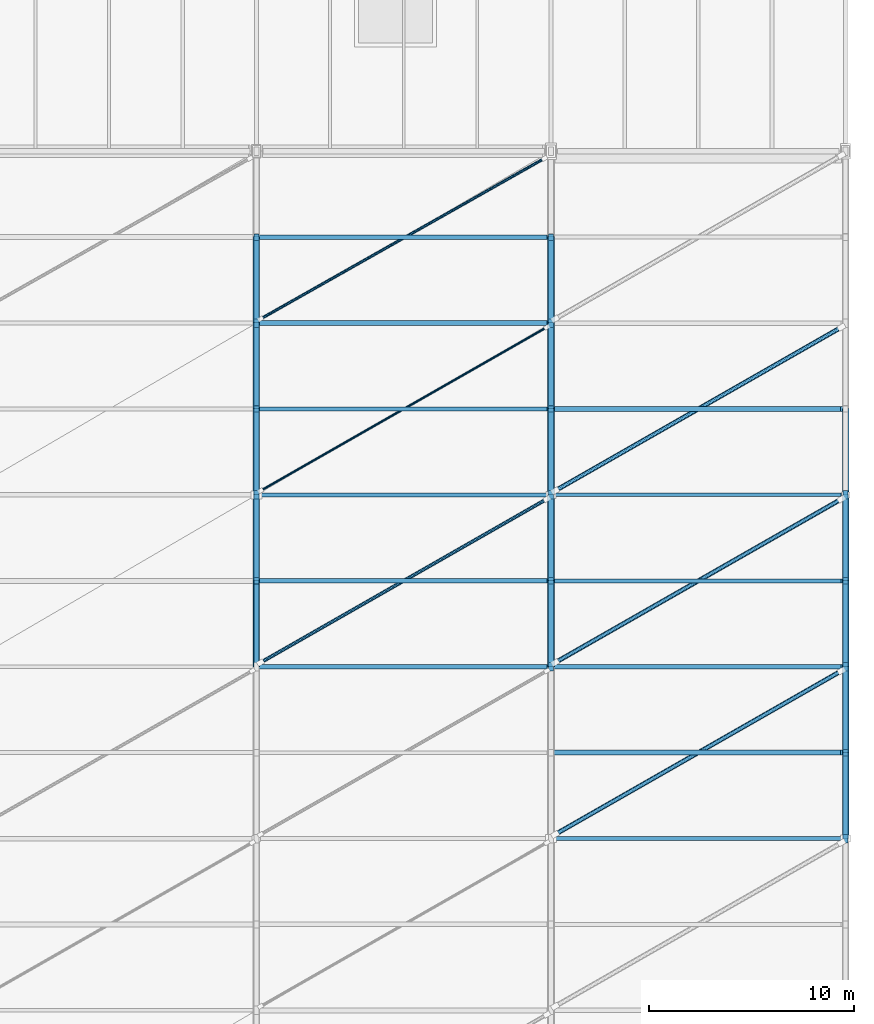
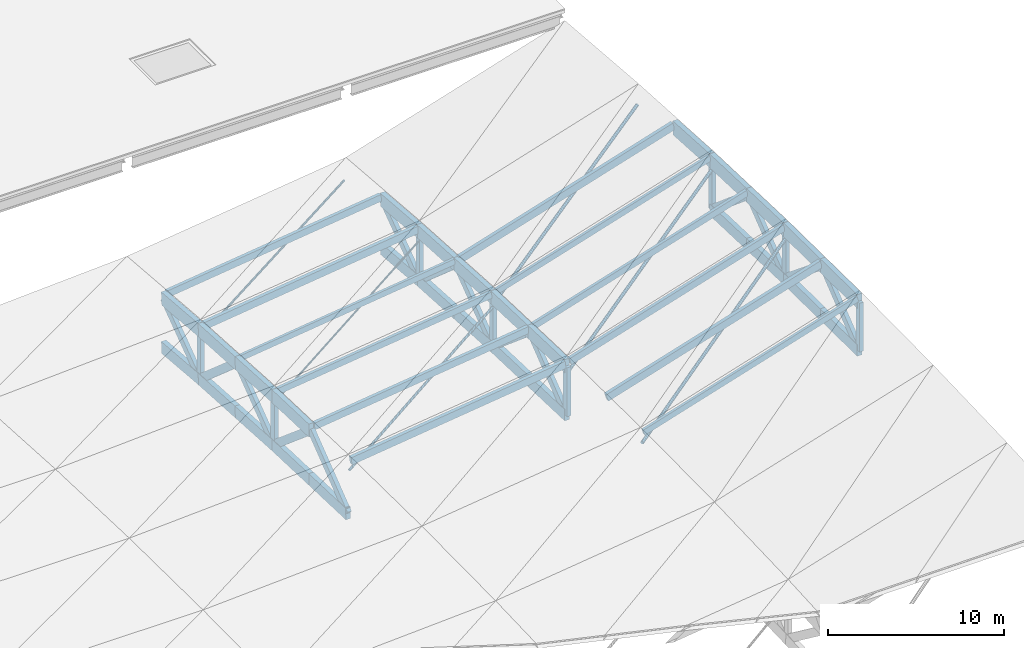
# One storey, part 9 of 22: 40 members, 28 beams.
"""IFC4 building model written with IfcOpenShell, lengths in metres."""

import ifcopenshell
import ifcopenshell.guid

model = None  # the IFC model being written
_history = None  # IfcOwnerHistory: only IFC2X3 demands one
_inside = {}  # id of a spatial element -> (the spatial element, [elements in it])
_under = {}  # id of a project, library or spatial element -> (it, [spatial elements below it])
_declared = {}  # id of a project -> (the project, [libraries it declares])
_typed = {}  # id of a type object -> (the type object, [elements of that type])
_made_of = {}  # id of a material, layer set ... -> (it, [elements and type objects made of it])


def new_model(schema):
    """Start an empty IFC model of exactly this schema.

    Asked for "IFC4X3", IfcOpenShell would pick the latest addendum, in which some entities
    have other attributes; the version numbers below select the first issue.
    IFC2X3 requires an IfcOwnerHistory on every rooted entity: one is made here for all.
    """
    global model, _history
    if schema == "IFC4X3":
        model = ifcopenshell.file(schema_version=(4, 3, 0, 0))
    else:
        model = ifcopenshell.file(schema=schema)
    _inside.clear()
    _under.clear()
    _declared.clear()
    _typed.clear()
    _made_of.clear()
    _history = None
    if model.schema == "IFC2X3":
        org = make("IfcOrganization", Name="unknown")
        user = make(
            "IfcPersonAndOrganization",
            ThePerson=make("IfcPerson", FamilyName="unknown"),
            TheOrganization=org,
        )
        app = make(
            "IfcApplication",
            ApplicationDeveloper=org,
            Version="unknown",
            ApplicationFullName="unknown",
            ApplicationIdentifier="unknown",
        )
        _history = make(
            "IfcOwnerHistory",
            OwningUser=user,
            OwningApplication=app,
            ChangeAction="ADDED",
            CreationDate=0,
        )
    return model


def make(cls, **values):
    """One entity of the class cls with the attributes given. An attribute that is None is left unset."""
    return model.create_entity(
        cls, **{name: value for name, value in values.items() if value is not None}
    )


def rooted(cls, **values):
    """An entity with a GlobalId (a new one), such as an element, a storey or a relation."""
    return make(cls, GlobalId=ifcopenshell.guid.new(), OwnerHistory=_history, **values)


def si_unit(unit_type, name, prefix=None):
    """IfcSIUnit, for example si_unit("LENGTHUNIT", "METRE", prefix="MILLI")."""
    return make("IfcSIUnit", UnitType=unit_type, Prefix=prefix, Name=name)


def assignment(units):
    """IfcUnitAssignment: the units of a project."""
    return None if units is None else make("IfcUnitAssignment", Units=units)


def point(xyz):
    """IfcCartesianPoint."""
    return None if xyz is None else make("IfcCartesianPoint", Coordinates=xyz)


def direction(xyz):
    """IfcDirection."""
    return None if xyz is None else make("IfcDirection", DirectionRatios=xyz)


def frame(location, z_axis=None, x_axis=None):
    """IfcAxis2Placement3D, a coordinate frame: its origin and axes. An axis left out is left unset."""
    return make(
        "IfcAxis2Placement3D",
        Location=point(location),
        Axis=direction(z_axis),
        RefDirection=direction(x_axis),
    )


def frame_2d(location, x_axis=None):
    """IfcAxis2Placement2D, a coordinate frame in the plane: its origin and x axis."""
    return make(
        "IfcAxis2Placement2D", Location=point(location), RefDirection=direction(x_axis)
    )


def origin():
    """The frame at (0, 0, 0) with its axes left unset."""
    return frame((0.0, 0.0, 0.0))


def origin_2d():
    """The frame at (0, 0) in the plane with its x axis left unset."""
    return frame_2d((0.0, 0.0))


def place(relative_to, where):
    """IfcLocalPlacement: puts the frame where relative to a parent placement (None: the world)."""
    return make(
        "IfcLocalPlacement", PlacementRelTo=relative_to, RelativePlacement=where
    )


def context(
    kind, dimensions, precision=None, world=None, true_north=None, identifier=None
):
    """IfcGeometricRepresentationContext, for example the 3D "Model" context."""
    return make(
        "IfcGeometricRepresentationContext",
        ContextIdentifier=identifier,
        ContextType=kind,
        CoordinateSpaceDimension=dimensions,
        Precision=precision,
        WorldCoordinateSystem=world,
        TrueNorth=true_north,
    )


def subcontext(parent, identifier, kind, view, scale=None):
    """IfcGeometricRepresentationSubContext, for example "Body" below "Model"."""
    return make(
        "IfcGeometricRepresentationSubContext",
        ContextIdentifier=identifier,
        ContextType=kind,
        ParentContext=parent,
        TargetScale=scale,
        TargetView=view,
    )


def project(units=None, contexts=None):
    """IfcProject with its units and contexts."""
    return rooted(
        "IfcProject",
        Name="project",
        RepresentationContexts=contexts,
        UnitsInContext=assignment(units),
    )


def spatial(cls, under=None, at=None, **own):
    """A site, building, storey or space (cls), placed at a placement, below another one or the project."""
    s = rooted(cls, ObjectPlacement=at, **own)
    if under is not None:
        _under.setdefault(under.id(), (under, []))[1].append(s)
    return s


def profile(cls, at=None, kind="AREA", **sizes):
    """A parametric profile (cls). Its sizes go by their IFC names, for example OverallWidth=200.0."""
    return make(cls, ProfileType=kind, Position=at, **sizes)


def rectangle(**sizes):
    """IfcRectangleProfileDef."""
    return profile("IfcRectangleProfileDef", **sizes)


def hollow_circle(**sizes):
    """IfcCircleHollowProfileDef."""
    return profile("IfcCircleHollowProfileDef", **sizes)


def extrude(swept, where, along, depth):
    """IfcExtrudedAreaSolid: the profile swept, set in the frame where, extruded along a direction by depth."""
    return make(
        "IfcExtrudedAreaSolid",
        SweptArea=swept,
        Position=where,
        ExtrudedDirection=direction(along),
        Depth=depth,
    )


def shape(context_of_items, identifier, shape_type, items):
    """IfcShapeRepresentation: the items that make up one representation, for example the "Body"."""
    return make(
        "IfcShapeRepresentation",
        ContextOfItems=context_of_items,
        RepresentationIdentifier=identifier,
        RepresentationType=shape_type,
        Items=items,
    )


def material(Name=None, Category=None):
    """IfcMaterial."""
    return make("IfcMaterial", Name=Name, Category=Category)


def material_profile(
    of_material, cross_section, Name=None, Category=None, Priority=None
):
    """IfcMaterialProfile: a cross section and its material."""
    return make(
        "IfcMaterialProfile",
        Name=Name,
        Material=of_material,
        Profile=cross_section,
        Priority=Priority,
        Category=Category,
    )


def profile_set(profiles, Name=None, composite=None):
    """IfcMaterialProfileSet."""
    return make(
        "IfcMaterialProfileSet",
        Name=Name,
        MaterialProfiles=profiles,
        CompositeProfile=composite,
    )


def made_of(thing, what):
    """Note that an element or type object is made of a material, layer set ...; save() writes the relation."""
    if what is not None:
        _made_of.setdefault(what.id(), (what, []))[1].append(thing)
    return thing


def type_object(cls, material=None, **own):
    """A type object (cls), such as IfcWallType, which elements share."""
    return made_of(rooted(cls, **own), material)


def element(
    cls,
    number,
    at=None,
    inside=None,
    cuts=None,
    type_object=None,
    material=None,
    context=None,
    identifier="Body",
    shape_type=None,
    held_by="IfcProductDefinitionShape",
    body=None,
    shapes=None,
    **own,
):
    """One element of the class cls, such as IfcWall. Its Tag is "e" and its number.

    at: its placement. inside: the storey or other place that contains it. cuts: it is an
    opening in that element (IfcRelVoidsElement). A single representation is given by context,
    identifier, shape_type and body (its items); several are given by shapes. held_by: the class
    of the entity that holds the representations. save() writes the other relations.
    """
    e = rooted(cls, Tag="e%d" % number, ObjectPlacement=at, **own)
    if body is not None:
        shapes = [shape(context, identifier, shape_type, body)]
    if shapes is not None:
        e.Representation = make(held_by, Representations=shapes)
    if inside is not None:
        _inside.setdefault(inside.id(), (inside, []))[1].append(e)
    if cuts is not None:
        rooted(
            "IfcRelVoidsElement", RelatingBuildingElement=cuts, RelatedOpeningElement=e
        )
    if type_object is not None:
        _typed.setdefault(type_object.id(), (type_object, []))[1].append(e)
    return made_of(e, material)


def aggregate(whole, parts):
    """IfcRelAggregates: a whole, such as a stair, and the parts it consists of."""
    return rooted("IfcRelAggregates", RelatingObject=whole, RelatedObjects=parts)


def save(model, path):
    """Write the relations noted so far, then the file.

    IfcRelAggregates (storeys below a building ...), IfcRelContainedInSpatialStructure (elements
    in a storey), IfcRelDefinesByType, IfcRelAssociatesMaterial and IfcRelDeclares: one each for
    every whole, place, type object, material and project.
    """
    for whole, parts in _under.values():
        aggregate(whole, parts)
    for where, things in _inside.values():
        rooted(
            "IfcRelContainedInSpatialStructure",
            RelatedElements=things,
            RelatingStructure=where,
        )
    for kind, things in _typed.values():
        rooted("IfcRelDefinesByType", RelatedObjects=things, RelatingType=kind)
    for what, things in _made_of.values():
        rooted("IfcRelAssociatesMaterial", RelatedObjects=things, RelatingMaterial=what)
    for by, libraries in _declared.values():
        rooted("IfcRelDeclares", RelatingContext=by, RelatedDefinitions=libraries)
    model.write(path)


model = new_model("IFC4")

# Units and contexts
model_context = context("Model", 3, precision=1e-05, world=origin(), true_north=direction((0.0, 1.0)))
body_context = subcontext(model_context, "Body", "Model", "MODEL_VIEW")
ifc_project = project(units=[si_unit("LENGTHUNIT", "METRE"), si_unit("AREAUNIT", "SQUARE_METRE"), si_unit("VOLUMEUNIT", "CUBIC_METRE"), si_unit("PLANEANGLEUNIT", "RADIAN"), si_unit("MASSUNIT", "GRAM", prefix="KILO"), si_unit("THERMODYNAMICTEMPERATUREUNIT", "KELVIN")], contexts=[model_context])

# Site, building, storey
site_placement = place(None, origin())
site = spatial("IfcSite", under=ifc_project, at=site_placement, CompositionType="ELEMENT")
building_placement = place(site_placement, origin())
building = spatial("IfcBuilding", under=site, at=building_placement, Name="Nduvali Passage Aquatics Centre", CompositionType="ELEMENT")
storey_placement = place(building_placement, frame((0.0, 0.0, 21.60009765625)))
storey = spatial("IfcBuildingStorey", under=building, at=storey_placement, Name="RF", CompositionType="ELEMENT", Elevation=21.60009765625)

# Beams
ifc_material_1 = material(Name="Glulam GL32c", Category="wood")
ifc_material_profile_1 = material_profile(ifc_material_1, rectangle(XDim=0.320068359375, YDim=0.800048828125, at=origin_2d()), Name="GL32c 320x800")
ifc_profile_set_1 = profile_set([ifc_material_profile_1], Name="Glulam GL32c")
beam_type_1 = type_object("IfcBeamType", Name="STR-BM-GL32-BOT", PredefinedType="BEAM", material=ifc_profile_set_1)
beam_1_placement = place(storey_placement, frame((97.199951171875, 67.199951171875, -9.658447265625), z_axis=(0.0, 0.999361595677, -0.035726755876), x_axis=(-1.0, 0.0, 0.0)))
element("IfcBeam", 1, at=beam_1_placement, inside=storey, type_object=beam_type_1, Name="RF Pool Hall Roof Truss Bottom Chord R6 BC1-1859", PredefinedType="BEAM", context=body_context, shape_type="SweptSolid", body=[
    extrude(rectangle(XDim=0.320068359375, YDim=0.800048828125, at=origin_2d()), origin(), (0.0, 0.0, 1.0), 4.20263671875),
])
beam_2_placement = place(storey_placement, frame((97.199951171875, 71.39990234375, -9.80859375), z_axis=(0.0, 0.999363742023, -0.035666666915), x_axis=(-1.0, 0.0, 0.0)))
element("IfcBeam", 2, at=beam_2_placement, inside=storey, type_object=beam_type_1, Name="RF Pool Hall Roof Truss Bottom Chord R6 BC1-1861", PredefinedType="BEAM", context=body_context, shape_type="SweptSolid", body=[
    extrude(rectangle(XDim=0.320068359375, YDim=0.800048828125, at=origin_2d()), origin(), (0.0, 0.0, 1.0), 4.202880859375),
])
for number, where, z_axis, x_axis, name in (
    (3, (97.199951171875, 75.60009765625, -9.95849609375), (0.0, 0.998233110761, -0.059419328339), (-1.0, 0.0, 0.0), "RF Pool Hall Roof Truss Bottom Chord R6 BC1-1863"),
    (4, (97.199951171875, 79.800048828125, -10.20849609375), (0.0, 0.998233110761, -0.059419328339), (-1.0, 0.0, 0.0), "RF Pool Hall Roof Truss Bottom Chord R6 BC1-1865"),
):
    element("IfcBeam", number, at=place(storey_placement, frame(where, z_axis=z_axis, x_axis=x_axis)), inside=storey, type_object=beam_type_1, Name=name, PredefinedType="BEAM", context=body_context, shape_type="SweptSolid", body=[
        extrude(rectangle(XDim=0.320068359375, YDim=0.800048828125, at=origin_2d()), origin(), (0.0, 0.0, 1.0), 4.207275390625),
    ])
beam_3_placement = place(storey_placement, frame((97.199951171875, 84.0, -10.45849609375), z_axis=(0.0, 0.996543760423, -0.083069450238), x_axis=(-1.0, 0.0, 0.0)))
element("IfcBeam", 5, at=beam_3_placement, inside=storey, type_object=beam_type_1, Name="RF Pool Hall Roof Truss Bottom Chord R6 BC1-1867", PredefinedType="BEAM", context=body_context, shape_type="SweptSolid", body=[
    extrude(rectangle(XDim=0.320068359375, YDim=0.800048828125, at=origin_2d()), origin(), (0.0, 0.0, 1.0), 4.214599609375),
])
beam_4_placement = place(storey_placement, frame((111.60009765625, 67.199951171875, -7.82275390625), z_axis=(0.0, 0.999361595677, -0.035726755876), x_axis=(-1.0, 0.0, 0.0)))
element("IfcBeam", 6, at=beam_4_placement, inside=storey, type_object=beam_type_1, Name="RF Pool Hall Roof Truss Bottom Chord R7 BC1-1891", PredefinedType="BEAM", context=body_context, shape_type="SweptSolid", body=[
    extrude(rectangle(XDim=0.320068359375, YDim=0.800048828125, at=origin_2d()), origin(), (0.0, 0.0, 1.0), 4.20263671875),
])
beam_5_placement = place(storey_placement, frame((111.60009765625, 71.39990234375, -7.972900390625), z_axis=(0.0, 0.999363742023, -0.035666666915), x_axis=(-1.0, 0.0, 0.0)))
element("IfcBeam", 7, at=beam_5_placement, inside=storey, type_object=beam_type_1, Name="RF Pool Hall Roof Truss Bottom Chord R7 BC1-1893", PredefinedType="BEAM", context=body_context, shape_type="SweptSolid", body=[
    extrude(rectangle(XDim=0.320068359375, YDim=0.800048828125, at=origin_2d()), origin(), (0.0, 0.0, 1.0), 4.202880859375),
])
for number, where, z_axis, x_axis, name in (
    (8, (111.60009765625, 75.60009765625, -8.122802734375), (0.0, 0.998233110761, -0.059419328339), (-1.0, 0.0, 0.0), "RF Pool Hall Roof Truss Bottom Chord R7 BC1-1895"),
    (9, (111.60009765625, 79.800048828125, -8.372802734375), (0.0, 0.998233110761, -0.059419328339), (-1.0, 0.0, 0.0), "RF Pool Hall Roof Truss Bottom Chord R7 BC1-1897"),
):
    element("IfcBeam", number, at=place(storey_placement, frame(where, z_axis=z_axis, x_axis=x_axis)), inside=storey, type_object=beam_type_1, Name=name, PredefinedType="BEAM", context=body_context, shape_type="SweptSolid", body=[
        extrude(rectangle(XDim=0.320068359375, YDim=0.800048828125, at=origin_2d()), origin(), (0.0, 0.0, 1.0), 4.207275390625),
    ])
beam_6_placement = place(storey_placement, frame((111.60009765625, 84.0, -8.622802734375), z_axis=(0.0, 0.996543760423, -0.083069450238), x_axis=(-1.0, 0.0, 0.0)))
element("IfcBeam", 10, at=beam_6_placement, inside=storey, type_object=beam_type_1, Name="RF Pool Hall Roof Truss Bottom Chord R7 BC1-1899", PredefinedType="BEAM", context=body_context, shape_type="SweptSolid", body=[
    extrude(rectangle(XDim=0.320068359375, YDim=0.800048828125, at=origin_2d()), origin(), (0.0, 0.0, 1.0), 4.214599609375),
])
for number, where, z_axis, x_axis, name in (
    (11, (126.0, 58.800048828125, -3.274169921875), (0.0, 0.999929005763, -0.011915680183), (-1.0, 0.0, 0.0), "RF Pool Hall Roof Truss Bottom Chord R8 BC1-1919"),
    (12, (126.0, 63.0, -3.32421875), (0.0, 0.999929696627, -0.011857563106), (-1.0, 0.0, 0.0), "RF Pool Hall Roof Truss Bottom Chord R8 BC1-1921"),
):
    element("IfcBeam", number, at=place(storey_placement, frame(where, z_axis=z_axis, x_axis=x_axis)), inside=storey, type_object=beam_type_1, Name=name, PredefinedType="BEAM", context=body_context, shape_type="SweptSolid", body=[
        extrude(rectangle(XDim=0.320068359375, YDim=0.800048828125, at=origin_2d()), origin(), (0.0, 0.0, 1.0), 4.2001953125),
    ])
beam_7_placement = place(storey_placement, frame((126.0, 67.199951171875, -3.3740234375), z_axis=(0.0, 0.999361595677, -0.035726755876), x_axis=(-1.0, 0.0, 0.0)))
element("IfcBeam", 13, at=beam_7_placement, inside=storey, type_object=beam_type_1, Name="RF Pool Hall Roof Truss Bottom Chord R8 BC1-1923", PredefinedType="BEAM", context=body_context, shape_type="SweptSolid", body=[
    extrude(rectangle(XDim=0.320068359375, YDim=0.800048828125, at=origin_2d()), origin(), (0.0, 0.0, 1.0), 4.20263671875),
])
beam_8_placement = place(storey_placement, frame((126.0, 71.39990234375, -3.524169921875), z_axis=(0.0, 0.999363742023, -0.035666666915), x_axis=(-1.0, 0.0, 0.0)))
element("IfcBeam", 14, at=beam_8_placement, inside=storey, type_object=beam_type_1, Name="RF Pool Hall Roof Truss Bottom Chord R8 BC1-1925", PredefinedType="BEAM", context=body_context, shape_type="SweptSolid", body=[
    extrude(rectangle(XDim=0.320068359375, YDim=0.800048828125, at=origin_2d()), origin(), (0.0, 0.0, 1.0), 4.202880859375),
])
ifc_material_profile_2 = material_profile(ifc_material_1, rectangle(XDim=0.320068359375, YDim=0.9599609375, at=origin_2d()), Name="GL32c 320x960")
ifc_profile_set_2 = profile_set([ifc_material_profile_2], Name="Glulam GL32c")
beam_type_2 = type_object("IfcBeamType", Name="STR-BM-GL32-END", PredefinedType="BEAM", material=ifc_profile_set_2)
for number, where, z_axis, x_axis, name in (
    (15, (126.0, 58.800048828125, 0.1259765625), (0.0, 0.999929005763, -0.011915680183), (-1.0, 0.0, 0.0), "RF Pool Hall Roof Truss Top Chord R8 TC0-1918"),
    (16, (126.0, 63.0, 0.075927734375), (0.0, 0.999929005763, -0.011915680183), (-1.0, 0.0, 0.0), "RF Pool Hall Roof Truss Top Chord R8 TC0-1920"),
):
    element("IfcBeam", number, at=place(storey_placement, frame(where, z_axis=z_axis, x_axis=x_axis)), inside=storey, type_object=beam_type_2, Name=name, PredefinedType="BEAM", context=body_context, shape_type="SweptSolid", body=[
        extrude(rectangle(XDim=0.320068359375, YDim=0.9599609375, at=origin_2d()), origin(), (0.0, 0.0, 1.0), 4.2001953125),
    ])
beam_9_placement = place(storey_placement, frame((126.0, 67.199951171875, 0.02587890625), z_axis=(0.0, 0.999363668121, -0.035668737559), x_axis=(-1.0, 0.0, 0.0)))
element("IfcBeam", 17, at=beam_9_placement, inside=storey, type_object=beam_type_2, Name="RF Pool Hall Roof Truss Top Chord R8 TC0-1922", PredefinedType="BEAM", context=body_context, shape_type="SweptSolid", body=[
    extrude(rectangle(XDim=0.320068359375, YDim=0.9599609375, at=origin_2d()), origin(), (0.0, 0.0, 1.0), 4.20263671875),
])
beam_10_placement = place(storey_placement, frame((126.0, 71.39990234375, -0.1240234375), z_axis=(0.0, 0.99936166982, -0.035724681873), x_axis=(-1.0, 0.0, 0.0)))
element("IfcBeam", 18, at=beam_10_placement, inside=storey, type_object=beam_type_2, Name="RF Pool Hall Roof Truss Top Chord R8 TC0-1924", PredefinedType="BEAM", context=body_context, shape_type="SweptSolid", body=[
    extrude(rectangle(XDim=0.320068359375, YDim=0.9599609375, at=origin_2d()), origin(), (0.0, 0.0, 1.0), 4.202880859375),
])
beam_11_placement = place(storey_placement, frame((126.0, 75.60009765625, -0.274169921875), z_axis=(0.0, 0.998233110761, -0.059419328339), x_axis=(-1.0, 0.0, 0.0)))
element("IfcBeam", 19, at=beam_11_placement, inside=storey, type_object=beam_type_2, Name="RF Pool Hall Roof Truss Top Chord R8 TC0-1926", PredefinedType="BEAM", context=body_context, shape_type="SweptSolid", body=[
    extrude(rectangle(XDim=0.320068359375, YDim=0.9599609375, at=origin_2d()), origin(), (0.0, 0.0, 1.0), 4.207275390625),
])
ifc_material_profile_3 = material_profile(ifc_material_1, rectangle(XDim=0.320068359375, YDim=0.89990234375, at=origin_2d()), Name="GL32c 320x900")
ifc_profile_set_3 = profile_set([ifc_material_profile_3], Name="Glulam GL32c")
beam_type_3 = type_object("IfcBeamType", Name="STR-BM-GL32-TOP", PredefinedType="BEAM", material=ifc_profile_set_3)
beam_12_placement = place(storey_placement, frame((97.199951171875, 71.39990234375, -6.408447265625), z_axis=(0.0, 0.99936166982, -0.035724681873), x_axis=(-1.0, 0.0, 0.0)))
element("IfcBeam", 20, at=beam_12_placement, inside=storey, type_object=beam_type_3, Name="RF Pool Hall Roof Truss Top Chord R6 TC1-1860", PredefinedType="BEAM", context=body_context, shape_type="SweptSolid", body=[
    extrude(rectangle(XDim=0.320068359375, YDim=0.89990234375, at=origin_2d()), origin(), (0.0, 0.0, 1.0), 4.202880859375),
])
for number, where, z_axis, x_axis, name in (
    (21, (97.199951171875, 75.60009765625, -6.55859375), (0.0, 0.998233110761, -0.059419328339), (-1.0, 0.0, 0.0), "RF Pool Hall Roof Truss Top Chord R6 TC1-1862"),
    (22, (97.199951171875, 79.800048828125, -6.80859375), (0.0, 0.998233110761, -0.059419328339), (-1.0, 0.0, 0.0), "RF Pool Hall Roof Truss Top Chord R6 TC1-1864"),
):
    element("IfcBeam", number, at=place(storey_placement, frame(where, z_axis=z_axis, x_axis=x_axis)), inside=storey, type_object=beam_type_3, Name=name, PredefinedType="BEAM", context=body_context, shape_type="SweptSolid", body=[
        extrude(rectangle(XDim=0.320068359375, YDim=0.89990234375, at=origin_2d()), origin(), (0.0, 0.0, 1.0), 4.207275390625),
    ])
beam_13_placement = place(storey_placement, frame((97.199951171875, 84.0, -7.05859375), z_axis=(0.0, 0.996548554241, -0.083011921073), x_axis=(-1.0, 0.0, 0.0)))
element("IfcBeam", 23, at=beam_13_placement, inside=storey, type_object=beam_type_3, Name="RF Pool Hall Roof Truss Top Chord R6 TC1-1866", PredefinedType="BEAM", context=body_context, shape_type="SweptSolid", body=[
    extrude(rectangle(XDim=0.320068359375, YDim=0.89990234375, at=origin_2d()), origin(), (0.0, 0.0, 1.0), 4.214599609375),
])
beam_14_placement = place(storey_placement, frame((111.60009765625, 67.199951171875, -4.4228515625), z_axis=(0.0, 0.999363668121, -0.035668737559), x_axis=(-1.0, 0.0, 0.0)))
element("IfcBeam", 24, at=beam_14_placement, inside=storey, type_object=beam_type_3, Name="RF Pool Hall Roof Truss Top Chord R7 TC1-1890", PredefinedType="BEAM", context=body_context, shape_type="SweptSolid", body=[
    extrude(rectangle(XDim=0.320068359375, YDim=0.89990234375, at=origin_2d()), origin(), (0.0, 0.0, 1.0), 4.20263671875),
])
beam_15_placement = place(storey_placement, frame((111.60009765625, 71.39990234375, -4.57275390625), z_axis=(0.0, 0.99936166982, -0.035724681873), x_axis=(-1.0, 0.0, 0.0)))
element("IfcBeam", 25, at=beam_15_placement, inside=storey, type_object=beam_type_3, Name="RF Pool Hall Roof Truss Top Chord R7 TC1-1892", PredefinedType="BEAM", context=body_context, shape_type="SweptSolid", body=[
    extrude(rectangle(XDim=0.320068359375, YDim=0.89990234375, at=origin_2d()), origin(), (0.0, 0.0, 1.0), 4.202880859375),
])
for number, where, z_axis, x_axis, name in (
    (26, (111.60009765625, 75.60009765625, -4.722900390625), (0.0, 0.998233110761, -0.059419328339), (-1.0, 0.0, 0.0), "RF Pool Hall Roof Truss Top Chord R7 TC1-1894"),
    (27, (111.60009765625, 79.800048828125, -4.972900390625), (0.0, 0.998233110761, -0.059419328339), (-1.0, 0.0, 0.0), "RF Pool Hall Roof Truss Top Chord R7 TC1-1896"),
):
    element("IfcBeam", number, at=place(storey_placement, frame(where, z_axis=z_axis, x_axis=x_axis)), inside=storey, type_object=beam_type_3, Name=name, PredefinedType="BEAM", context=body_context, shape_type="SweptSolid", body=[
        extrude(rectangle(XDim=0.320068359375, YDim=0.89990234375, at=origin_2d()), origin(), (0.0, 0.0, 1.0), 4.207275390625),
    ])
beam_16_placement = place(storey_placement, frame((111.60009765625, 84.0, -5.222900390625), z_axis=(0.0, 0.996548554241, -0.083011921073), x_axis=(-1.0, 0.0, 0.0)))
element("IfcBeam", 28, at=beam_16_placement, inside=storey, type_object=beam_type_3, Name="RF Pool Hall Roof Truss Top Chord R7 TC1-1898", PredefinedType="BEAM", context=body_context, shape_type="SweptSolid", body=[
    extrude(rectangle(XDim=0.320068359375, YDim=0.89990234375, at=origin_2d()), origin(), (0.0, 0.0, 1.0), 4.214599609375),
])

# Members
ifc_material_2 = material(Name="Steel S355", Category="steel")
ifc_material_profile_4 = material_profile(ifc_material_2, hollow_circle(Radius=0.05712890625, WallThickness=0.00634765625, at=origin_2d()), Name="CHS 114.3x6.3")
ifc_profile_set_4 = profile_set([ifc_material_profile_4], Name="Steel S355")
member_type_1 = type_object("IfcMemberType", Name="STR-MEM-CHS114", PredefinedType="BRACE", material=ifc_profile_set_4)
member_1_placement = place(storey_placement, frame((97.39990234375, 75.800048828125, -7.136474609375), z_axis=(0.865279515362, 0.49444543735, 0.082553435905), x_axis=(-0.496138938357, 0.868243142124, 0.0)))
element("IfcMember", 29, at=member_1_placement, inside=storey, type_object=member_type_1, Name="Pool Hall Roof Wind Brace B6-P7A", PredefinedType="BRACE", context=body_context, shape_type="SweptSolid", body=[
    extrude(hollow_circle(Radius=0.05712890625, WallThickness=0.00634765625, at=origin_2d()), origin(), (0.0, 0.0, 1.0), 16.1796875),
])
ifc_material_profile_5 = material_profile(ifc_material_2, hollow_circle(Radius=0.06982421875, WallThickness=0.00634765625, at=origin_2d()), Name="CHS 139.7x6.3")
ifc_profile_set_5 = profile_set([ifc_material_profile_5], Name="Steel S355")
member_type_2 = type_object("IfcMemberType", Name="STR-MEM-CHS139", PredefinedType="BRACE", material=ifc_profile_set_5)
member_2_placement = place(storey_placement, frame((97.39990234375, 84.199951171875, -7.636474609375), z_axis=(0.868234252181, 0.49104188248, 0.071043317699), x_axis=(-0.492285774804, 0.870433636715, 0.0)))
element("IfcMember", 30, at=member_2_placement, inside=storey, type_object=member_type_2, Name="Pool Hall Roof Wind Brace B6-P8A", PredefinedType="BRACE", context=body_context, shape_type="SweptSolid", body=[
    extrude(hollow_circle(Radius=0.06982421875, WallThickness=0.00634765625, at=origin_2d()), origin(), (0.0, 0.0, 1.0), 15.986572265625),
])
ifc_material_profile_6 = material_profile(ifc_material_2, hollow_circle(Radius=0.084228515625, WallThickness=0.00634765625, at=origin_2d()), Name="CHS 168.3x6.3")
ifc_profile_set_6 = profile_set([ifc_material_profile_6], Name="Steel S355")
member_type_3 = type_object("IfcMemberType", Name="STR-MEM-CHS168", PredefinedType="BRACE", material=ifc_profile_set_6)
member_3_placement = place(storey_placement, frame((97.39990234375, 67.39990234375, -6.83642578125), z_axis=(0.864332236549, 0.493904135171, 0.094807648017), x_axis=(-0.496138938357, 0.868243142124, 0.0)))
element("IfcMember", 31, at=member_3_placement, inside=storey, type_object=member_type_3, Name="Pool Hall Roof Wind Brace B6-P6A", PredefinedType="BRACE", context=body_context, shape_type="SweptSolid", body=[
    extrude(hollow_circle(Radius=0.084228515625, WallThickness=0.00634765625, at=origin_2d()), origin(), (0.0, 0.0, 1.0), 16.197509765625),
])
ifc_material_profile_7 = material_profile(ifc_material_2, hollow_circle(Radius=0.109619140625, WallThickness=0.008056640625, at=origin_2d()), Name="CHS 219.1x8.0")
ifc_profile_set_7 = profile_set([ifc_material_profile_7], Name="Steel S355")
member_type_4 = type_object("IfcMemberType", Name="STR-MEM-CHS219", PredefinedType="BRACE", material=ifc_profile_set_7)
member_4_placement = place(storey_placement, frame((111.800048828125, 59.0, -4.90087890625), z_axis=(0.83789881528, 0.478799323017, 0.262062556711), x_axis=(-0.496138938357, 0.868243142124, 0.0)))
element("IfcMember", 32, at=member_4_placement, inside=storey, type_object=member_type_4, Name="Pool Hall Roof Wind Brace B7-P5A", PredefinedType="BRACE", context=body_context, shape_type="SweptSolid", body=[
    extrude(hollow_circle(Radius=0.109619140625, WallThickness=0.008056640625, at=origin_2d()), origin(), (0.0, 0.0, 1.0), 16.70849609375),
])
member_5_placement = place(storey_placement, frame((111.800048828125, 67.39990234375, -5.000732421875), z_axis=(0.840478431284, 0.480273389305, 0.25086545811), x_axis=(-0.496138938357, 0.868243142124, 0.0)))
element("IfcMember", 33, at=member_5_placement, inside=storey, type_object=member_type_4, Name="Pool Hall Roof Wind Brace B7-P6A", PredefinedType="BRACE", context=body_context, shape_type="SweptSolid", body=[
    extrude(hollow_circle(Radius=0.109619140625, WallThickness=0.008056640625, at=origin_2d()), origin(), (0.0, 0.0, 1.0), 16.6572265625),
])
member_6_placement = place(storey_placement, frame((111.800048828125, 75.800048828125, -5.30078125), z_axis=(0.842959810275, 0.481691320157, 0.239566755512), x_axis=(-0.496138938357, 0.868243142124, 0.0)))
element("IfcMember", 34, at=member_6_placement, inside=storey, type_object=member_type_4, Name="Pool Hall Roof Wind Brace B7-P7A", PredefinedType="BRACE", context=body_context, shape_type="SweptSolid", body=[
    extrude(hollow_circle(Radius=0.109619140625, WallThickness=0.008056640625, at=origin_2d()), origin(), (0.0, 0.0, 1.0), 16.608154296875),
])
ifc_material_3 = material(Name="Glulam GL28h", Category="wood")
ifc_material_profile_8 = material_profile(ifc_material_3, rectangle(XDim=0.260009765625, YDim=0.52001953125, at=origin_2d()), Name="GL28h 260x520")
ifc_profile_set_8 = profile_set([ifc_material_profile_8], Name="Glulam GL28h")
member_type_5 = type_object("IfcMemberType", Name="STR-MEM-GL-DIAG", PredefinedType="CHORD", material=ifc_profile_set_8)
member_7_placement = place(storey_placement, frame((97.199951171875, 67.199951171875, -9.658447265625), z_axis=(0.0, 0.790867256885, 0.611987730259), x_axis=(-1.0, 0.0, 0.0)))
element("IfcMember", 35, at=member_7_placement, inside=storey, type_object=member_type_5, Name="Pool Hall Roof Truss Web Diagonal R6-11", PredefinedType="CHORD", context=body_context, shape_type="SweptSolid", body=[
    extrude(rectangle(XDim=0.260009765625, YDim=0.52001953125, at=origin_2d()), origin(), (0.0, 0.0, 1.0), 5.310546875),
])
member_8_placement = place(storey_placement, frame((97.199951171875, 71.39990234375, -6.408447265625), z_axis=(0.0, 0.763741468965, -0.64552224484), x_axis=(-1.0, 0.0, 0.0)))
element("IfcMember", 36, at=member_8_placement, inside=storey, type_object=member_type_5, Name="Pool Hall Roof Truss Web Diagonal R6-12", PredefinedType="CHORD", context=body_context, shape_type="SweptSolid", body=[
    extrude(rectangle(XDim=0.260009765625, YDim=0.52001953125, at=origin_2d()), origin(), (0.0, 0.0, 1.0), 5.49951171875),
])
member_9_placement = place(storey_placement, frame((97.199951171875, 75.60009765625, -9.95849609375), z_axis=(0.0, 0.800005580426, 0.599992559359), x_axis=(-1.0, 0.0, 0.0)))
element("IfcMember", 37, at=member_9_placement, inside=storey, type_object=member_type_5, Name="Pool Hall Roof Truss Web Diagonal R6-13", PredefinedType="CHORD", context=body_context, shape_type="SweptSolid", body=[
    extrude(rectangle(XDim=0.260009765625, YDim=0.52001953125, at=origin_2d()), origin(), (0.0, 0.0, 1.0), 5.25),
])
member_10_placement = place(storey_placement, frame((97.199951171875, 79.800048828125, -6.80859375), z_axis=(0.0, 0.754803851974, -0.655950566007), x_axis=(-1.0, 0.0, 0.0)))
element("IfcMember", 38, at=member_10_placement, inside=storey, type_object=member_type_5, Name="Pool Hall Roof Truss Web Diagonal R6-14", PredefinedType="CHORD", context=body_context, shape_type="SweptSolid", body=[
    extrude(rectangle(XDim=0.260009765625, YDim=0.52001953125, at=origin_2d()), origin(), (0.0, 0.0, 1.0), 5.564208984375),
])
member_11_placement = place(storey_placement, frame((97.199951171875, 84.0, -10.45849609375), z_axis=(0.0, 0.809144712888, 0.587609422665), x_axis=(-1.0, 0.0, 0.0)))
element("IfcMember", 39, at=member_11_placement, inside=storey, type_object=member_type_5, Name="Pool Hall Roof Truss Web Diagonal R6-15", PredefinedType="CHORD", context=body_context, shape_type="SweptSolid", body=[
    extrude(rectangle(XDim=0.260009765625, YDim=0.52001953125, at=origin_2d()), origin(), (0.0, 0.0, 1.0), 5.190673828125),
])
member_12_placement = place(storey_placement, frame((111.60009765625, 67.199951171875, -7.82275390625), z_axis=(0.0, 0.790867256885, 0.611987730259), x_axis=(-1.0, 0.0, 0.0)))
element("IfcMember", 40, at=member_12_placement, inside=storey, type_object=member_type_5, Name="Pool Hall Roof Truss Web Diagonal R7-11", PredefinedType="CHORD", context=body_context, shape_type="SweptSolid", body=[
    extrude(rectangle(XDim=0.260009765625, YDim=0.52001953125, at=origin_2d()), origin(), (0.0, 0.0, 1.0), 5.310546875),
])
member_13_placement = place(storey_placement, frame((111.60009765625, 71.39990234375, -4.57275390625), z_axis=(0.0, 0.763741468965, -0.64552224484), x_axis=(-1.0, 0.0, 0.0)))
element("IfcMember", 41, at=member_13_placement, inside=storey, type_object=member_type_5, Name="Pool Hall Roof Truss Web Diagonal R7-12", PredefinedType="CHORD", context=body_context, shape_type="SweptSolid", body=[
    extrude(rectangle(XDim=0.260009765625, YDim=0.52001953125, at=origin_2d()), origin(), (0.0, 0.0, 1.0), 5.49951171875),
])
member_14_placement = place(storey_placement, frame((111.60009765625, 75.60009765625, -8.122802734375), z_axis=(0.0, 0.800005580426, 0.599992559359), x_axis=(-1.0, 0.0, 0.0)))
element("IfcMember", 42, at=member_14_placement, inside=storey, type_object=member_type_5, Name="Pool Hall Roof Truss Web Diagonal R7-13", PredefinedType="CHORD", context=body_context, shape_type="SweptSolid", body=[
    extrude(rectangle(XDim=0.260009765625, YDim=0.52001953125, at=origin_2d()), origin(), (0.0, 0.0, 1.0), 5.25),
])
member_15_placement = place(storey_placement, frame((111.60009765625, 79.800048828125, -4.972900390625), z_axis=(0.0, 0.754803851974, -0.655950566007), x_axis=(-1.0, 0.0, 0.0)))
element("IfcMember", 43, at=member_15_placement, inside=storey, type_object=member_type_5, Name="Pool Hall Roof Truss Web Diagonal R7-14", PredefinedType="CHORD", context=body_context, shape_type="SweptSolid", body=[
    extrude(rectangle(XDim=0.260009765625, YDim=0.52001953125, at=origin_2d()), origin(), (0.0, 0.0, 1.0), 5.564208984375),
])
member_16_placement = place(storey_placement, frame((111.60009765625, 84.0, -8.622802734375), z_axis=(0.0, 0.809144712888, 0.587609422665), x_axis=(-1.0, 0.0, 0.0)))
element("IfcMember", 44, at=member_16_placement, inside=storey, type_object=member_type_5, Name="Pool Hall Roof Truss Web Diagonal R7-15", PredefinedType="CHORD", context=body_context, shape_type="SweptSolid", body=[
    extrude(rectangle(XDim=0.260009765625, YDim=0.52001953125, at=origin_2d()), origin(), (0.0, 0.0, 1.0), 5.190673828125),
])
member_17_placement = place(storey_placement, frame((126.0, 58.800048828125, -3.274169921875), z_axis=(0.0, 0.781763575378, 0.623574945145), x_axis=(-1.0, 0.0, 0.0)))
element("IfcMember", 45, at=member_17_placement, inside=storey, type_object=member_type_5, Name="Pool Hall Roof Truss Web Diagonal R8-9", PredefinedType="CHORD", context=body_context, shape_type="SweptSolid", body=[
    extrude(rectangle(XDim=0.260009765625, YDim=0.52001953125, at=origin_2d()), origin(), (0.0, 0.0, 1.0), 5.372314453125),
])
member_18_placement = place(storey_placement, frame((126.0, 63.0, 0.075927734375), z_axis=(0.0, 0.772727041362, -0.63473846547), x_axis=(-1.0, 0.0, 0.0)))
element("IfcMember", 46, at=member_18_placement, inside=storey, type_object=member_type_5, Name="Pool Hall Roof Truss Web Diagonal R8-10", PredefinedType="CHORD", context=body_context, shape_type="SweptSolid", body=[
    extrude(rectangle(XDim=0.260009765625, YDim=0.52001953125, at=origin_2d()), origin(), (0.0, 0.0, 1.0), 5.435302734375),
])
member_19_placement = place(storey_placement, frame((126.0, 67.199951171875, -3.3740234375), z_axis=(0.0, 0.790867256885, 0.611987730259), x_axis=(-1.0, 0.0, 0.0)))
element("IfcMember", 47, at=member_19_placement, inside=storey, type_object=member_type_5, Name="Pool Hall Roof Truss Web Diagonal R8-11", PredefinedType="CHORD", context=body_context, shape_type="SweptSolid", body=[
    extrude(rectangle(XDim=0.260009765625, YDim=0.52001953125, at=origin_2d()), origin(), (0.0, 0.0, 1.0), 5.310546875),
])
member_20_placement = place(storey_placement, frame((126.0, 71.39990234375, -0.1240234375), z_axis=(0.0, 0.763741468965, -0.64552224484), x_axis=(-1.0, 0.0, 0.0)))
element("IfcMember", 48, at=member_20_placement, inside=storey, type_object=member_type_5, Name="Pool Hall Roof Truss Web Diagonal R8-12", PredefinedType="CHORD", context=body_context, shape_type="SweptSolid", body=[
    extrude(rectangle(XDim=0.260009765625, YDim=0.52001953125, at=origin_2d()), origin(), (0.0, 0.0, 1.0), 5.49951171875),
])
ifc_material_profile_9 = material_profile(ifc_material_3, rectangle(XDim=0.179931640625, YDim=0.39990234375, at=origin_2d()), Name="GL28h 180x400")
ifc_profile_set_9 = profile_set([ifc_material_profile_9], Name="Glulam GL28h")
member_type_6 = type_object("IfcMemberType", Name="STR-MEM-GL-PUR1", PredefinedType="PURLIN", material=ifc_profile_set_9)
member_21_placement = place(storey_placement, frame((97.360107421875, 79.800048828125, -6.531005859375), z_axis=(0.991971922076, 0.0, 0.126458316504), x_axis=(0.0, 1.0, 0.0)))
element("IfcMember", 49, at=member_21_placement, inside=storey, type_object=member_type_6, Name="Pool Hall Saddle Roof Purlin B6-13", PredefinedType="PURLIN", context=body_context, shape_type="SweptSolid", body=[
    extrude(rectangle(XDim=0.179931640625, YDim=0.39990234375, at=origin_2d()), origin(), (0.0, 0.0, 1.0), 14.19384765625),
])
for number, where, z_axis, x_axis, name in (
    (50, (111.760009765625, 58.800048828125, -4.01611328125), (0.954882134092, 0.0, 0.296985033278), (0.0, 1.0, 0.0), "Pool Hall Saddle Roof Purlin B7-8"),
    (51, (111.760009765625, 75.60009765625, -4.416015625), (0.954882134092, 0.0, 0.296985033278), (0.0, 1.0, 0.0), "Pool Hall Saddle Roof Purlin B7-12"),
):
    element("IfcMember", number, at=place(storey_placement, frame(where, z_axis=z_axis, x_axis=x_axis)), inside=storey, type_object=member_type_6, Name=name, PredefinedType="PURLIN", context=body_context, shape_type="SweptSolid", body=[
        extrude(rectangle(XDim=0.179931640625, YDim=0.39990234375, at=origin_2d()), origin(), (0.0, 0.0, 1.0), 14.745361328125),
    ])
ifc_material_profile_10 = material_profile(ifc_material_3, rectangle(XDim=0.219970703125, YDim=0.47998046875, at=origin_2d()), Name="GL28h 220x480")
ifc_profile_set_10 = profile_set([ifc_material_profile_10], Name="Glulam GL28h")
member_type_7 = type_object("IfcMemberType", Name="STR-MEM-GL-PUR3", PredefinedType="PURLIN", material=ifc_profile_set_10)
for number, where, z_axis, x_axis, name in (
    (52, (97.360107421875, 71.39990234375, -6.171142578125), (0.991971922076, 0.0, 0.126458316504), (0.0, 1.0, 0.0), "Pool Hall Saddle Roof Purlin B6-11"),
    (53, (97.360107421875, 88.199951171875, -7.171142578125), (0.991971922076, 0.0, 0.126458316504), (0.0, 1.0, 0.0), "Pool Hall Saddle Roof Purlin B6-15"),
):
    element("IfcMember", number, at=place(storey_placement, frame(where, z_axis=z_axis, x_axis=x_axis)), inside=storey, type_object=member_type_7, Name=name, PredefinedType="PURLIN", context=body_context, shape_type="SweptSolid", body=[
        extrude(rectangle(XDim=0.219970703125, YDim=0.47998046875, at=origin_2d()), origin(), (0.0, 0.0, 1.0), 14.19384765625),
    ])
member_22_placement = place(storey_placement, frame((111.760009765625, 67.199951171875, -4.156005859375), z_axis=(0.954882134092, 0.0, 0.296985033278), x_axis=(0.0, 1.0, 0.0)))
element("IfcMember", 54, at=member_22_placement, inside=storey, type_object=member_type_7, Name="Pool Hall Saddle Roof Purlin B7-10", PredefinedType="PURLIN", context=body_context, shape_type="SweptSolid", body=[
    extrude(rectangle(XDim=0.219970703125, YDim=0.47998046875, at=origin_2d()), origin(), (0.0, 0.0, 1.0), 14.745361328125),
])
ifc_material_profile_11 = material_profile(ifc_material_3, rectangle(XDim=0.199951171875, YDim=0.43994140625, at=origin_2d()), Name="GL28h 200x440")
ifc_profile_set_11 = profile_set([ifc_material_profile_11], Name="Glulam GL28h")
member_type_8 = type_object("IfcMemberType", Name="STR-MEM-GL-PUR4", PredefinedType="PURLIN", material=ifc_profile_set_11)
member_23_placement = place(storey_placement, frame((97.360107421875, 75.60009765625, -6.301025390625), z_axis=(0.991971922076, 0.0, 0.126458316504), x_axis=(0.0, 1.0, 0.0)))
element("IfcMember", 55, at=member_23_placement, inside=storey, type_object=member_type_8, Name="Pool Hall Saddle Roof Purlin B6-12", PredefinedType="PURLIN", context=body_context, shape_type="SweptSolid", body=[
    extrude(rectangle(XDim=0.199951171875, YDim=0.43994140625, at=origin_2d()), origin(), (0.0, 0.0, 1.0), 14.19384765625),
])
member_24_placement = place(storey_placement, frame((111.760009765625, 71.39990234375, -4.285888671875), z_axis=(0.954886829358, 0.0, 0.296969936388), x_axis=(0.0, 1.0, 0.0)))
element("IfcMember", 56, at=member_24_placement, inside=storey, type_object=member_type_8, Name="Pool Hall Saddle Roof Purlin B7-11", PredefinedType="PURLIN", context=body_context, shape_type="SweptSolid", body=[
    extrude(rectangle(XDim=0.199951171875, YDim=0.43994140625, at=origin_2d()), origin(), (0.0, 0.0, 1.0), 14.745361328125),
])
ifc_material_profile_12 = material_profile(ifc_material_3, rectangle(XDim=0.239990234375, YDim=0.52001953125, at=origin_2d()), Name="GL28h 240x520")
ifc_profile_set_12 = profile_set([ifc_material_profile_12], Name="Glulam GL28h")
member_type_9 = type_object("IfcMemberType", Name="STR-MEM-GL-PUR5", PredefinedType="PURLIN", material=ifc_profile_set_12)
for number, where, z_axis, x_axis, name in (
    (57, (97.360107421875, 67.199951171875, -6.041015625), (0.991971922076, 0.0, 0.126458316504), (0.0, 1.0, 0.0), "Pool Hall Saddle Roof Purlin B6-10"),
    (58, (97.360107421875, 84.0, -6.841064453125), (0.991971922076, 0.0, 0.126458316504), (0.0, 1.0, 0.0), "Pool Hall Saddle Roof Purlin B6-14"),
):
    element("IfcMember", number, at=place(storey_placement, frame(where, z_axis=z_axis, x_axis=x_axis)), inside=storey, type_object=member_type_9, Name=name, PredefinedType="PURLIN", context=body_context, shape_type="SweptSolid", body=[
        extrude(rectangle(XDim=0.239990234375, YDim=0.52001953125, at=origin_2d()), origin(), (0.0, 0.0, 1.0), 14.19384765625),
    ])
for number, where, z_axis, x_axis, name in (
    (59, (111.760009765625, 63.0, -4.1259765625), (0.954882134092, 0.0, 0.296985033278), (0.0, 1.0, 0.0), "Pool Hall Saddle Roof Purlin B7-9"),
    (60, (111.760009765625, 79.800048828125, -4.72607421875), (0.954882134092, 0.0, 0.296985033278), (0.0, 1.0, 0.0), "Pool Hall Saddle Roof Purlin B7-13"),
):
    element("IfcMember", number, at=place(storey_placement, frame(where, z_axis=z_axis, x_axis=x_axis)), inside=storey, type_object=member_type_9, Name=name, PredefinedType="PURLIN", context=body_context, shape_type="SweptSolid", body=[
        extrude(rectangle(XDim=0.239990234375, YDim=0.52001953125, at=origin_2d()), origin(), (0.0, 0.0, 1.0), 14.745361328125),
    ])
ifc_material_profile_13 = material_profile(ifc_material_3, rectangle(XDim=0.260009765625, YDim=0.419921875, at=origin_2d()), Name="GL28h 260x420")
ifc_profile_set_13 = profile_set([ifc_material_profile_13], Name="Glulam GL28h")
member_type_10 = type_object("IfcMemberType", Name="STR-MEM-GL-VERT", PredefinedType="STRUT", material=ifc_profile_set_13)
for number, where, z_axis, x_axis, name in (
    (61, (97.199951171875, 75.60009765625, -9.95849609375), (0.0, 0.0, 1.0), (1.0, 0.0, 0.0), "Pool Hall Roof Truss Vertical Strut R6-7"),
    (62, (97.199951171875, 84.0, -10.45849609375), (0.0, 0.0, 1.0), (1.0, 0.0, 0.0), "Pool Hall Roof Truss Vertical Strut R6-8"),
    (63, (111.60009765625, 67.199951171875, -7.82275390625), (0.0, 0.0, 1.0), (1.0, 0.0, 0.0), "Pool Hall Roof Truss Vertical Strut R7-6"),
    (64, (111.60009765625, 75.60009765625, -8.122802734375), (0.0, 0.0, 1.0), (1.0, 0.0, 0.0), "Pool Hall Roof Truss Vertical Strut R7-7"),
    (65, (111.60009765625, 84.0, -8.622802734375), (0.0, 0.0, 1.0), (1.0, 0.0, 0.0), "Pool Hall Roof Truss Vertical Strut R7-8"),
):
    element("IfcMember", number, at=place(storey_placement, frame(where, z_axis=z_axis, x_axis=x_axis)), inside=storey, type_object=member_type_10, Name=name, PredefinedType="STRUT", context=body_context, shape_type="SweptSolid", body=[
        extrude(rectangle(XDim=0.260009765625, YDim=0.419921875, at=origin_2d()), origin(), (0.0, 0.0, 1.0), 3.39990234375),
    ])
member_25_placement = place(storey_placement, frame((126.0, 58.800048828125, -3.274169921875), z_axis=(0.0, 0.0, 1.0), x_axis=(1.0, 0.0, 0.0)))
element("IfcMember", 66, at=member_25_placement, inside=storey, type_object=member_type_10, Name="Pool Hall Roof Truss Vertical Strut R8-5", PredefinedType="STRUT", context=body_context, shape_type="SweptSolid", body=[
    extrude(rectangle(XDim=0.260009765625, YDim=0.419921875, at=origin_2d()), origin(), (0.0, 0.0, 1.0), 3.400146484375),
])
for number, where, z_axis, x_axis, name in (
    (67, (126.0, 67.199951171875, -3.3740234375), (0.0, 0.0, 1.0), (1.0, 0.0, 0.0), "Pool Hall Roof Truss Vertical Strut R8-6"),
    (68, (126.0, 75.60009765625, -3.674072265625), (0.0, 0.0, 1.0), (1.0, 0.0, 0.0), "Pool Hall Roof Truss Vertical Strut R8-7"),
):
    element("IfcMember", number, at=place(storey_placement, frame(where, z_axis=z_axis, x_axis=x_axis)), inside=storey, type_object=member_type_10, Name=name, PredefinedType="STRUT", context=body_context, shape_type="SweptSolid", body=[
        extrude(rectangle(XDim=0.260009765625, YDim=0.419921875, at=origin_2d()), origin(), (0.0, 0.0, 1.0), 3.39990234375),
    ])

save(model, "model.ifc")
